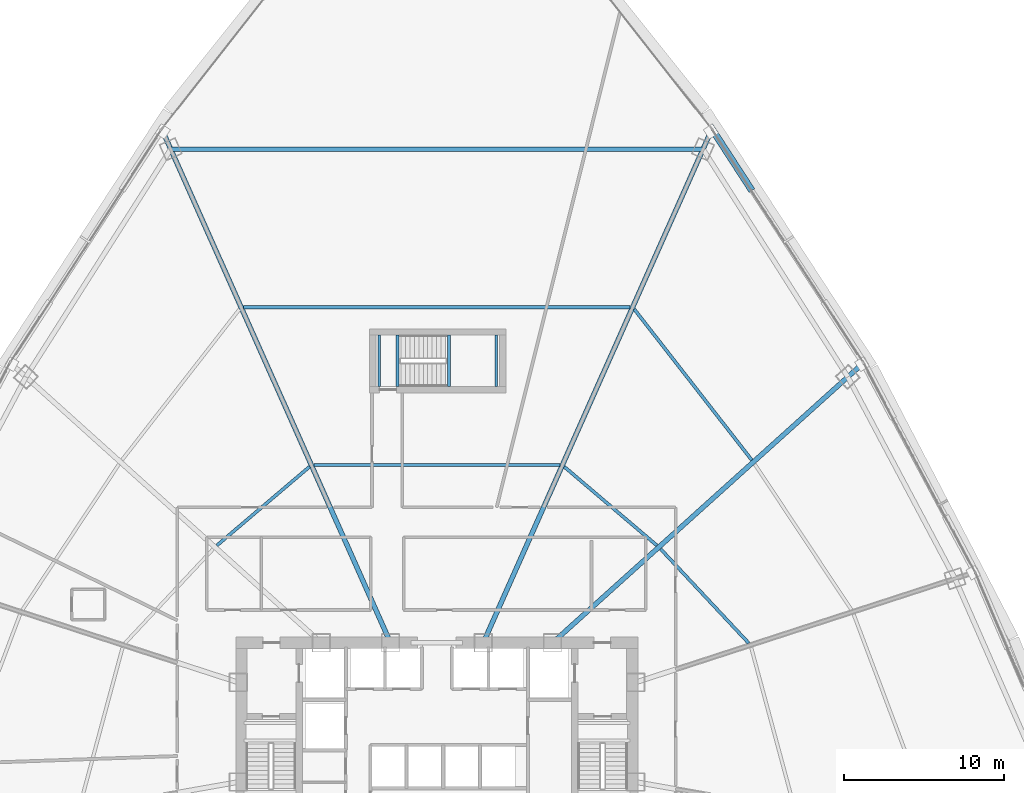
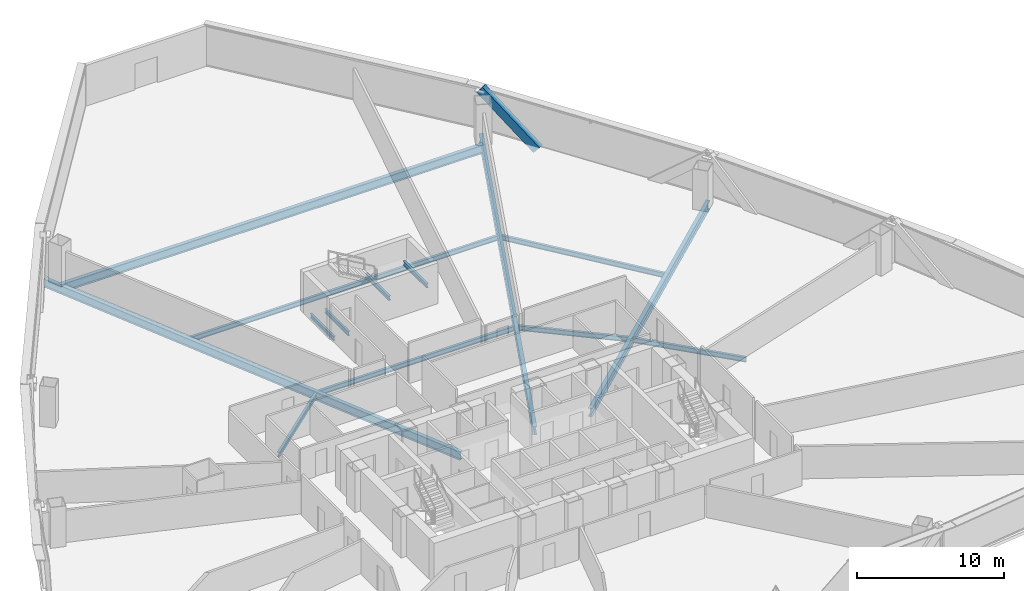
# One storey, part 19 of 37: 14 beams, 1 member.
"""IFC4 building model written with IfcOpenShell, lengths in metres."""

from ifc_helpers import new_model, si_unit, direction, frame, origin, origin_2d, place, context, subcontext, project, spatial, hollow_rectangle, i_section, extrude, source, transform, mapped, material, material_profile, profile_set, type_object, element, save


model = new_model("IFC4")

# Units and contexts
model_context = context("Model", 3, precision=1e-05, world=origin(), true_north=direction((0.0, 1.0)))
body_context = subcontext(model_context, "Body", "Model", "MODEL_VIEW")
ifc_project = project(units=[si_unit("LENGTHUNIT", "METRE"), si_unit("AREAUNIT", "SQUARE_METRE"), si_unit("VOLUMEUNIT", "CUBIC_METRE"), si_unit("PLANEANGLEUNIT", "RADIAN"), si_unit("MASSUNIT", "GRAM", prefix="KILO"), si_unit("THERMODYNAMICTEMPERATUREUNIT", "KELVIN"), si_unit("POWERUNIT", "WATT")], contexts=[model_context])

# Site, building, storey
site_placement = place(None, origin())
site = spatial("IfcSite", under=ifc_project, at=site_placement, CompositionType="ELEMENT")
building_placement = place(site_placement, origin())
building = spatial("IfcBuilding", under=site, at=building_placement, Name="Yunzhuo Pagoda Commons", CompositionType="ELEMENT")
storey_placement = place(building_placement, frame((0.0, 0.0, 59.43994140625)))
storey = spatial("IfcBuildingStorey", under=building, at=storey_placement, Name="L15", CompositionType="ELEMENT", Elevation=59.43994140625)

# Beams
ifc_material_1 = material(Name="Structural steel Q355B", Category="steel")
ifc_material_profile_1 = material_profile(ifc_material_1, i_section(OverallWidth=0.175048828125, OverallDepth=0.35009765625, WebThickness=0.007080078125, FlangeThickness=0.010986328125, at=origin_2d()), Name="Structural steel Q355B")
ifc_profile_set_1 = profile_set([ifc_material_profile_1], Name="Structural steel Q355B")
beam_type_1 = type_object("IfcBeamType", Name="B-JS2 Joist HN 350x175x7x11", PredefinedType="JOIST", material=ifc_profile_set_1)
shared_shape_1 = source(origin(), body_context, "Body", "SweptSolid", [
    extrude(i_section(OverallWidth=0.175048828125, OverallDepth=0.35009765625, WebThickness=0.007080078125, FlangeThickness=0.010986328125, at=origin_2d()), origin(), (0.0, 0.0, 1.0), 3.199951171875),
])
for number, where, z_axis, x_axis, name in (
    (1, (48.75, 56.199951171875, 1.43994140625), (0.0, 1.0, 0.0), (-1.0, 0.0, 0.0), "L15 ST3 landing support beam 19A"),
    (2, (51.699951171875, 56.199951171875, 1.43994140625), (0.0, 1.0, 0.0), (-1.0, 0.0, 0.0), "L15 ST3 landing support beam 19B"),
    (3, (44.39990234375, 56.199951171875, -0.375), (0.0, 1.0, 0.0), (-1.0, 0.0, 0.0), "L15 ST3 landing support beam 89A"),
    (4, (45.550048828125, 56.199951171875, -0.375), (0.0, 1.0, 0.0), (-1.0, 0.0, 0.0), "L15 ST3 landing support beam 89B"),
):
    element("IfcBeam", number, at=place(storey_placement, frame(where, z_axis=z_axis, x_axis=x_axis)), inside=storey, type_object=beam_type_1, Name=name, PredefinedType="JOIST", context=body_context, shape_type="MappedRepresentation", body=[
        mapped(shared_shape_1, transform((0.0, 0.0, 0.0), scale=1.0)),
    ])
ifc_material_profile_2 = material_profile(ifc_material_1, i_section(OverallWidth=0.300048828125, OverallDepth=0.699951171875, WebThickness=0.012939453125, FlangeThickness=0.02392578125, at=origin_2d()), Name="Structural steel Q355B")
ifc_profile_set_2 = profile_set([ifc_material_profile_2], Name="Structural steel Q355B")
beam_type_2 = type_object("IfcBeamType", Name="B-RG1 Beam HN 700x300x13x24", PredefinedType="BEAM", material=ifc_profile_set_2)
shared_shape_2 = source(origin(), body_context, "Body", "SweptSolid", [
    extrude(i_section(OverallWidth=0.300048828125, OverallDepth=0.699951171875, WebThickness=0.012939453125, FlangeThickness=0.02392578125, at=origin_2d()), origin(), (0.0, 0.0, 1.0), 33.2216796875),
])
beam_1_placement = place(storey_placement, frame((64.61083984375, 71.008544921875, -0.60986328125), z_axis=(-1.0, 0.0, 0.0), x_axis=(0.0, -1.0, 0.0)))
element("IfcBeam", 5, at=beam_1_placement, inside=storey, type_object=beam_type_2, Name="L15 column-ring beam 8", PredefinedType="BEAM", context=body_context, shape_type="MappedRepresentation", body=[
    mapped(shared_shape_2, transform((0.0, 0.0, 0.0), scale=1.0)),
])
ifc_material_profile_3 = material_profile(ifc_material_1, i_section(OverallWidth=0.199951171875, OverallDepth=0.39990234375, WebThickness=0.008056640625, FlangeThickness=0.012939453125, at=origin_2d()), Name="Structural steel Q355B")
ifc_profile_set_3 = profile_set([ifc_material_profile_3], Name="Structural steel Q355B")
beam_type_3 = type_object("IfcBeamType", Name="B-JS1 Joist HN 400x200x8x13", PredefinedType="JOIST", material=ifc_profile_set_3)
shared_shape_3 = source(origin(), body_context, "Body", "SweptSolid", [
    extrude(i_section(OverallWidth=0.199951171875, OverallDepth=0.39990234375, WebThickness=0.008056640625, FlangeThickness=0.012939453125, at=origin_2d()), origin(), (0.0, 0.0, 1.0), 8.055908203125),
])
beam_2_placement = place(storey_placement, frame((67.468017578125, 40.177001953125, -0.459716796875), z_axis=(-0.683432879027, 0.730013355949, 0.0), x_axis=(-0.730013355949, -0.683432879027, 0.0)))
element("IfcBeam", 6, at=beam_2_placement, inside=storey, type_object=beam_type_3, Name="L15 composite ring joist 1.6", PredefinedType="JOIST", context=body_context, shape_type="MappedRepresentation", body=[
    mapped(shared_shape_3, transform((0.0, 0.0, 0.0), scale=1.0)),
])
shared_shape_4 = source(origin(), body_context, "Body", "SweptSolid", [
    extrude(i_section(OverallWidth=0.199951171875, OverallDepth=0.39990234375, WebThickness=0.008056640625, FlangeThickness=0.012939453125, at=origin_2d()), origin(), (0.0, 0.0, 1.0), 7.583984375),
])
for number, where, z_axis, x_axis, name in (
    (7, (61.732421875, 46.277099609375, -0.459716796875), (-0.762037799133, 0.647532541803, 0.0), (-0.647532541803, -0.762037799133, 0.0), "L15 composite ring joist 1.7"),
    (8, (40.046875, 51.18798828125, -0.459716796875), (-0.762037799133, -0.647532541803, 0.0), (0.647532541803, -0.762037799133, 0.0), "L15 composite ring joist 1.9"),
):
    element("IfcBeam", number, at=place(storey_placement, frame(where, z_axis=z_axis, x_axis=x_axis)), inside=storey, type_object=beam_type_3, Name=name, PredefinedType="JOIST", context=body_context, shape_type="MappedRepresentation", body=[
        mapped(shared_shape_4, transform((0.0, 0.0, 0.0), scale=1.0)),
    ])
shared_shape_5 = source(origin(), body_context, "Body", "SweptSolid", [
    extrude(i_section(OverallWidth=0.199951171875, OverallDepth=0.39990234375, WebThickness=0.008056640625, FlangeThickness=0.012939453125, at=origin_2d()), origin(), (0.0, 0.0, 1.0), 11.9345703125),
])
beam_3_placement = place(storey_placement, frame((67.65380859375, 51.609619140625, -0.459716796875), z_axis=(-0.614572048085, 0.788860696012, 0.0), x_axis=(-0.788860696012, -0.614572048085, 0.0)))
element("IfcBeam", 9, at=beam_3_placement, inside=storey, type_object=beam_type_3, Name="L15 composite ring joist 2.7", PredefinedType="JOIST", context=body_context, shape_type="MappedRepresentation", body=[
    mapped(shared_shape_5, transform((0.0, 0.0, 0.0), scale=1.0)),
])
shared_shape_6 = source(origin(), body_context, "Body", "SweptSolid", [
    extrude(i_section(OverallWidth=0.199951171875, OverallDepth=0.39990234375, WebThickness=0.008056640625, FlangeThickness=0.012939453125, at=origin_2d()), origin(), (0.0, 0.0, 1.0), 15.34619140625),
])
beam_4_placement = place(storey_placement, frame((55.673095703125, 51.291015625, -0.459716796875), z_axis=(-1.0, 0.0, 0.0), x_axis=(0.0, -1.0, 0.0)))
element("IfcBeam", 10, at=beam_4_placement, inside=storey, type_object=beam_type_3, Name="L15 composite ring joist 1.8", PredefinedType="JOIST", context=body_context, shape_type="MappedRepresentation", body=[
    mapped(shared_shape_6, transform((0.0, 0.0, 0.0), scale=1.0)),
])
shared_shape_7 = source(origin(), body_context, "Body", "SweptSolid", [
    extrude(i_section(OverallWidth=0.199951171875, OverallDepth=0.39990234375, WebThickness=0.008056640625, FlangeThickness=0.012939453125, at=origin_2d()), origin(), (0.0, 0.0, 1.0), 24.125),
])
beam_5_placement = place(storey_placement, frame((60.0625, 61.14990234375, -0.459716796875), z_axis=(-1.0, 0.0, 0.0), x_axis=(0.0, -1.0, 0.0)))
element("IfcBeam", 11, at=beam_5_placement, inside=storey, type_object=beam_type_3, Name="L15 composite ring joist 2.8", PredefinedType="JOIST", context=body_context, shape_type="MappedRepresentation", body=[
    mapped(shared_shape_7, transform((0.0, 0.0, 0.0), scale=1.0)),
])
shared_shape_8 = source(origin(), body_context, "Body", "SweptSolid", [
    extrude(i_section(OverallWidth=0.300048828125, OverallDepth=0.699951171875, WebThickness=0.012939453125, FlangeThickness=0.02392578125, at=origin_2d()), origin(), (0.0, 0.0, 1.0), 25.97607421875),
])
beam_6_placement = place(storey_placement, frame((74.52294921875, 57.581298828125, -0.60986328125), z_axis=(-0.743145046906, -0.669130360437, 0.0), x_axis=(0.669130360437, -0.743145046906, 0.0)))
element("IfcBeam", 12, at=beam_6_placement, inside=storey, type_object=beam_type_2, Name="L15 radial floor girder F2C3", PredefinedType="BEAM", context=body_context, shape_type="MappedRepresentation", body=[
    mapped(shared_shape_8, transform((0.0, 0.0, 0.0), scale=1.0)),
])
shared_shape_9 = source(origin(), body_context, "Body", "SweptSolid", [
    extrude(i_section(OverallWidth=0.300048828125, OverallDepth=0.699951171875, WebThickness=0.012939453125, FlangeThickness=0.02392578125, at=origin_2d()), origin(), (0.0, 0.0, 1.0), 34.9482421875),
])
for number, where, z_axis, x_axis, name in (
    (13, (65.108642578125, 72.126708984375, -0.60986328125), (-0.406734044975, -0.913546614387, 0.0), (0.913546614387, -0.406734044975, 0.0), "L15 radial floor girder F2C4"),
    (14, (30.891357421875, 72.126708984375, -0.60986328125), (0.406734044975, -0.913546614387, 0.0), (0.913546614387, 0.406734044975, 0.0), "L15 radial floor girder F3C1"),
):
    element("IfcBeam", number, at=place(storey_placement, frame(where, z_axis=z_axis, x_axis=x_axis)), inside=storey, type_object=beam_type_2, Name=name, PredefinedType="BEAM", context=body_context, shape_type="MappedRepresentation", body=[
        mapped(shared_shape_9, transform((0.0, 0.0, 0.0), scale=1.0)),
    ])

# Member
ifc_material_2 = material(Name="Structural steel Q420B", Category="steel")
ifc_material_profile_4 = material_profile(ifc_material_2, hollow_rectangle(XDim=0.419921875, YDim=0.719970703125, WallThickness=0.028076171875, at=origin_2d()), Name="Structural steel Q420B")
ifc_profile_set_4 = profile_set([ifc_material_profile_4], Name="Structural steel Q420B")
member_type = type_object("IfcMemberType", Name="M-DL1 Brace BOX 720x420x28", PredefinedType="BRACE", material=ifc_profile_set_4)
shared_shape_10 = source(origin(), body_context, "Body", "SweptSolid", [
    extrude(hollow_rectangle(XDim=0.419921875, YDim=0.719970703125, WallThickness=0.028076171875, at=origin_2d()), origin(), (0.0, 0.0, 1.0), 5.663330078125),
])
member_placement = place(storey_placement, frame((67.538330078125, 68.62255859375, -0.260009765625), z_axis=(-0.417904945732, 0.643799510993, 0.640997383752), x_axis=(-0.838779661722, -0.544471008486, 0.0)))
element("IfcMember", 15, at=member_placement, inside=storey, type_object=member_type, Name="L15 facade diamond brace F2.3R", PredefinedType="BRACE", context=body_context, shape_type="MappedRepresentation", body=[
    mapped(shared_shape_10, transform((0.0, 0.0, 0.0), scale=1.0)),
])

save(model, "model.ifc")
